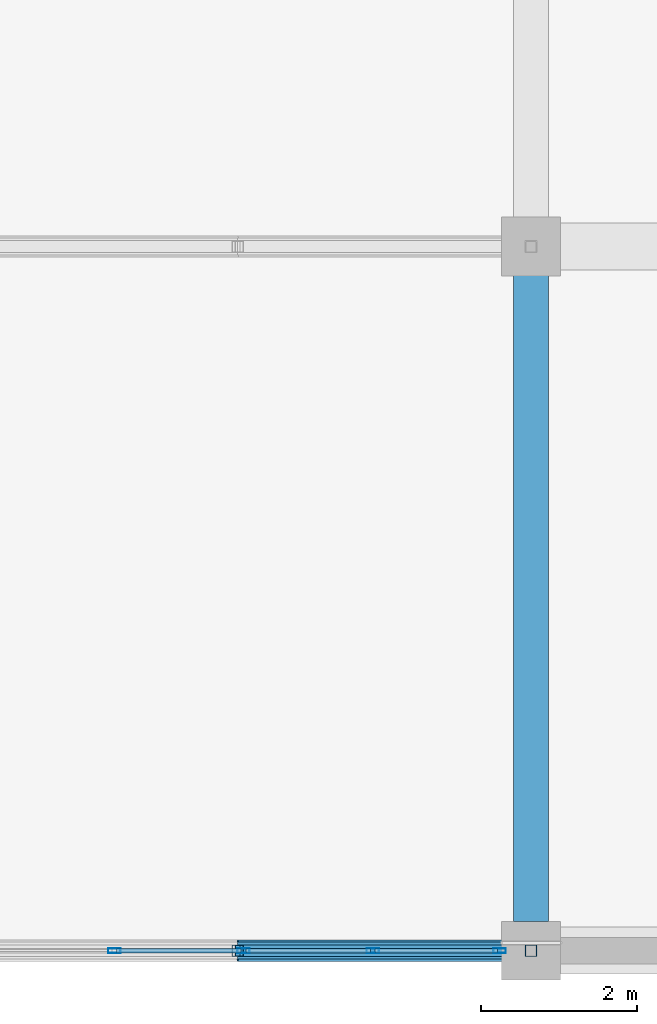
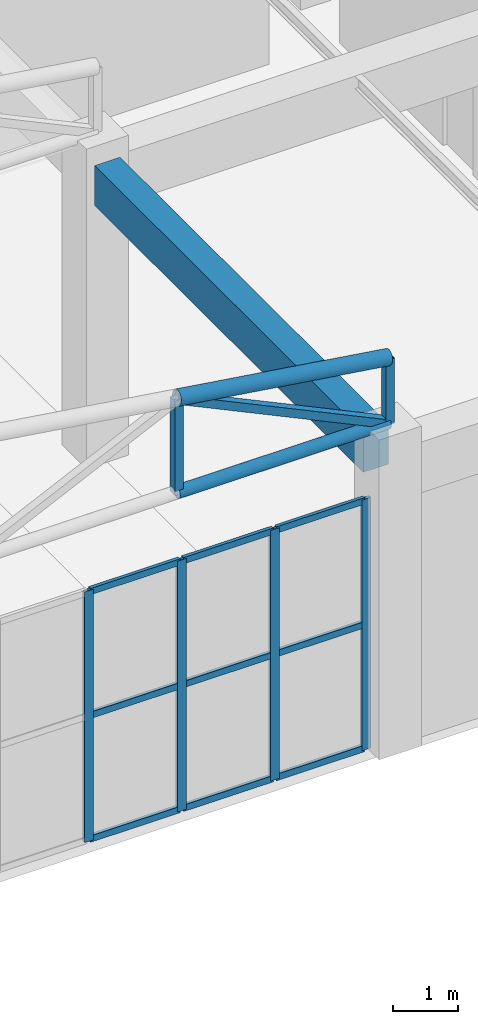
# One storey, part 63 of 223: 18 members, 1 beam, 1 element without a shape of its own.
"""IFC4 building model written with IfcOpenShell, lengths in metres."""

from ifc_helpers import new_model, si_unit, direction, frame, origin, origin_2d, place, context, subcontext, project, spatial, rectangle, hollow_rectangle, hollow_circle, extrude, material, layer, layer_set, material_profile, profile_set, type_object, element, aggregate, save


model = new_model("IFC4")

# Units and contexts
model_context = context("Model", 3, precision=1e-05, world=origin(), true_north=direction((0.0, 1.0)))
body_context = subcontext(model_context, "Body", "Model", "MODEL_VIEW")
ifc_project = project(units=[si_unit("LENGTHUNIT", "METRE"), si_unit("AREAUNIT", "SQUARE_METRE"), si_unit("VOLUMEUNIT", "CUBIC_METRE"), si_unit("PLANEANGLEUNIT", "RADIAN"), si_unit("MASSUNIT", "GRAM", prefix="KILO")], contexts=[model_context])

# Site, building, storey
site_placement = place(None, origin())
site = spatial("IfcSite", under=ifc_project, at=site_placement, CompositionType="ELEMENT")
building_placement = place(site_placement, origin())
building = spatial("IfcBuilding", under=site, at=building_placement, Name="Dornveld Trade and Exhibition Forum", CompositionType="ELEMENT")
storey_placement = place(building_placement, frame((0.0, 0.0, 6.0)))
storey = spatial("IfcBuildingStorey", under=building, at=storey_placement, Name="L01", CompositionType="ELEMENT", Elevation=6.0)

# Beam
ifc_material_1 = material(Name="Precast concrete C50/60", Category="concrete")
ifc_material_profile_1 = material_profile(ifc_material_1, rectangle(XDim=0.449951171875, YDim=0.75, at=origin_2d()), Name="PC-BM 450x750")
ifc_profile_set_1 = profile_set([ifc_material_profile_1], Name="Precast concrete C50/60")
beam_type = type_object("IfcBeamType", Name="BM-PC-450x750", PredefinedType="BEAM", material=ifc_profile_set_1)
beam_placement = place(storey_placement, frame((198.0, 0.37109375, 5.264892578125), z_axis=(0.0, 1.0, 0.0), x_axis=(-1.0, 0.0, 0.0)))
element("IfcBeam", 1, at=beam_placement, inside=storey, type_object=beam_type, Name="L01 Y-girder 1295", PredefinedType="BEAM", context=body_context, shape_type="SweptSolid", body=[
    extrude(rectangle(XDim=0.449951171875, YDim=0.75, at=origin_2d()), origin(), (0.0, 0.0, 1.0), 8.2578125),
])

# Curtain wall, members
ifc_material_2 = material(Name="Dark-bronze anodised aluminium and low-E glass", Category="aluminium")
ifc_layer = layer(ifc_material_2, 0.175048828125)
ifc_layer_set = layer_set([ifc_layer], Name="Dark-bronze anodised aluminium and low-E glass")
curtain_wall_type = type_object("IfcCurtainWallType", Name="CW-SYS-11", PredefinedType="USERDEFINED", material=ifc_layer_set)
curtain_wall_placement = place(storey_placement, origin())
curtain_wall = element("IfcCurtainWall", 2, at=curtain_wall_placement, inside=storey, type_object=curtain_wall_type, Name="L01 unitised curtain wall 137", ObjectType="UNITISED_CURTAIN_WALL", PredefinedType="USERDEFINED")
ifc_material_3 = material(Name="Dark-bronze anodised aluminium", Category="aluminium")
ifc_material_profile_2 = material_profile(ifc_material_3, hollow_rectangle(XDim=0.06005859375, YDim=0.159912109375, WallThickness=0.00390625, at=origin_2d()), Name="RHS 160x60x4")
ifc_profile_set_2 = profile_set([ifc_material_profile_2], Name="Dark-bronze anodised aluminium")
member_type_1 = type_object("IfcMemberType", Name="CW-MUL-160", PredefinedType="MULLION", material=ifc_profile_set_2)
member_1_placement = place(storey_placement, frame((192.67431640625, 0.0, -0.00390625), z_axis=(0.0, 0.0, 1.0), x_axis=(0.0, 1.0, 0.0)))
member_1 = element("IfcMember", 3, at=member_1_placement, type_object=member_type_1, Name="CW-11 mullion 3", PredefinedType="MULLION", context=body_context, shape_type="SweptSolid", body=[
    extrude(hollow_rectangle(XDim=0.06005859375, YDim=0.159912109375, WallThickness=0.00390625, at=origin_2d()), origin(), (0.0, 0.0, 1.0), 4.703857421875),
])
member_2_placement = place(storey_placement, frame((194.32568359375, 0.0, -0.00390625), z_axis=(0.0, 0.0, 1.0), x_axis=(0.0, 1.0, 0.0)))
member_2 = element("IfcMember", 4, at=member_2_placement, type_object=member_type_1, Name="CW-11 mullion 4", PredefinedType="MULLION", context=body_context, shape_type="SweptSolid", body=[
    extrude(hollow_rectangle(XDim=0.06005859375, YDim=0.159912109375, WallThickness=0.00390625, at=origin_2d()), origin(), (0.0, 0.0, 1.0), 4.703857421875),
])
member_3_placement = place(storey_placement, frame((195.977294921875, 0.0, -0.00390625), z_axis=(0.0, 0.0, 1.0), x_axis=(0.0, 1.0, 0.0)))
member_3 = element("IfcMember", 5, at=member_3_placement, type_object=member_type_1, Name="CW-11 mullion 5", PredefinedType="MULLION", context=body_context, shape_type="SweptSolid", body=[
    extrude(hollow_rectangle(XDim=0.06005859375, YDim=0.159912109375, WallThickness=0.00390625, at=origin_2d()), origin(), (0.0, 0.0, 1.0), 4.703857421875),
])
member_4_placement = place(storey_placement, frame((197.59912109375, 0.0, -0.00390625), z_axis=(0.0, 0.0, 1.0), x_axis=(0.0, 1.0, 0.0)))
member_4 = element("IfcMember", 6, at=member_4_placement, type_object=member_type_1, Name="CW-11 mullion 6", PredefinedType="MULLION", context=body_context, shape_type="SweptSolid", body=[
    extrude(hollow_rectangle(XDim=0.06005859375, YDim=0.159912109375, WallThickness=0.00390625, at=origin_2d()), origin(), (0.0, 0.0, 1.0), 4.703857421875),
])
ifc_material_4 = material(Name="Dark-bronze anodised aluminium", Category="aluminium")
ifc_material_profile_3 = material_profile(ifc_material_4, hollow_rectangle(XDim=0.06005859375, YDim=0.1201171875, WallThickness=0.00390625, at=origin_2d()), Name="RHS 120x60x4")
ifc_profile_set_3 = profile_set([ifc_material_profile_3], Name="Dark-bronze anodised aluminium")
member_type_2 = type_object("IfcMemberType", Name="CW-TRN-120", PredefinedType="USERDEFINED", material=ifc_profile_set_3)
member_5_placement = place(storey_placement, frame((192.7041015625, 0.0, 0.02587890625), z_axis=(1.0, 0.0, 0.0), x_axis=(0.0, 1.0, 0.0)))
member_5 = element("IfcMember", 7, at=member_5_placement, type_object=member_type_2, Name="CW-11 transom 3.1", ObjectType="TRANSOM", PredefinedType="USERDEFINED", context=body_context, shape_type="SweptSolid", body=[
    extrude(hollow_rectangle(XDim=0.06005859375, YDim=0.1201171875, WallThickness=0.00390625, at=origin_2d()), origin(), (0.0, 0.0, 1.0), 1.591796875),
])
member_6_placement = place(storey_placement, frame((192.7041015625, 0.0, 2.347900390625), z_axis=(1.0, 0.0, 0.0), x_axis=(0.0, 1.0, 0.0)))
member_6 = element("IfcMember", 8, at=member_6_placement, type_object=member_type_2, Name="CW-11 transom 3.2", ObjectType="TRANSOM", PredefinedType="USERDEFINED", context=body_context, shape_type="SweptSolid", body=[
    extrude(hollow_rectangle(XDim=0.06005859375, YDim=0.1201171875, WallThickness=0.00390625, at=origin_2d()), origin(), (0.0, 0.0, 1.0), 1.591796875),
])
member_7_placement = place(storey_placement, frame((192.7041015625, 0.0, 4.669921875), z_axis=(1.0, 0.0, 0.0), x_axis=(0.0, 1.0, 0.0)))
member_7 = element("IfcMember", 9, at=member_7_placement, type_object=member_type_2, Name="CW-11 transom 3.3", ObjectType="TRANSOM", PredefinedType="USERDEFINED", context=body_context, shape_type="SweptSolid", body=[
    extrude(hollow_rectangle(XDim=0.06005859375, YDim=0.1201171875, WallThickness=0.00390625, at=origin_2d()), origin(), (0.0, 0.0, 1.0), 1.591796875),
])
member_8_placement = place(storey_placement, frame((194.355712890625, 0.0, 0.02587890625), z_axis=(1.0, 0.0, 0.0), x_axis=(0.0, 1.0, 0.0)))
member_8 = element("IfcMember", 10, at=member_8_placement, type_object=member_type_2, Name="CW-11 transom 4.1", ObjectType="TRANSOM", PredefinedType="USERDEFINED", context=body_context, shape_type="SweptSolid", body=[
    extrude(hollow_rectangle(XDim=0.06005859375, YDim=0.1201171875, WallThickness=0.00390625, at=origin_2d()), origin(), (0.0, 0.0, 1.0), 1.591796875),
])
member_9_placement = place(storey_placement, frame((194.355712890625, 0.0, 2.347900390625), z_axis=(1.0, 0.0, 0.0), x_axis=(0.0, 1.0, 0.0)))
member_9 = element("IfcMember", 11, at=member_9_placement, type_object=member_type_2, Name="CW-11 transom 4.2", ObjectType="TRANSOM", PredefinedType="USERDEFINED", context=body_context, shape_type="SweptSolid", body=[
    extrude(hollow_rectangle(XDim=0.06005859375, YDim=0.1201171875, WallThickness=0.00390625, at=origin_2d()), origin(), (0.0, 0.0, 1.0), 1.591796875),
])
member_10_placement = place(storey_placement, frame((194.355712890625, 0.0, 4.669921875), z_axis=(1.0, 0.0, 0.0), x_axis=(0.0, 1.0, 0.0)))
member_10 = element("IfcMember", 12, at=member_10_placement, type_object=member_type_2, Name="CW-11 transom 4.3", ObjectType="TRANSOM", PredefinedType="USERDEFINED", context=body_context, shape_type="SweptSolid", body=[
    extrude(hollow_rectangle(XDim=0.06005859375, YDim=0.1201171875, WallThickness=0.00390625, at=origin_2d()), origin(), (0.0, 0.0, 1.0), 1.591796875),
])
member_11_placement = place(storey_placement, frame((196.00732421875, 0.0, 0.02587890625), z_axis=(1.0, 0.0, 0.0), x_axis=(0.0, 1.0, 0.0)))
member_11 = element("IfcMember", 13, at=member_11_placement, type_object=member_type_2, Name="CW-11 transom 5.1", ObjectType="TRANSOM", PredefinedType="USERDEFINED", context=body_context, shape_type="SweptSolid", body=[
    extrude(hollow_rectangle(XDim=0.06005859375, YDim=0.1201171875, WallThickness=0.00390625, at=origin_2d()), origin(), (0.0, 0.0, 1.0), 1.561767578125),
])
member_12_placement = place(storey_placement, frame((196.00732421875, 0.0, 2.347900390625), z_axis=(1.0, 0.0, 0.0), x_axis=(0.0, 1.0, 0.0)))
member_12 = element("IfcMember", 14, at=member_12_placement, type_object=member_type_2, Name="CW-11 transom 5.2", ObjectType="TRANSOM", PredefinedType="USERDEFINED", context=body_context, shape_type="SweptSolid", body=[
    extrude(hollow_rectangle(XDim=0.06005859375, YDim=0.1201171875, WallThickness=0.00390625, at=origin_2d()), origin(), (0.0, 0.0, 1.0), 1.561767578125),
])
member_13_placement = place(storey_placement, frame((196.00732421875, 0.0, 4.669921875), z_axis=(1.0, 0.0, 0.0), x_axis=(0.0, 1.0, 0.0)))
member_13 = element("IfcMember", 15, at=member_13_placement, type_object=member_type_2, Name="CW-11 transom 5.3", ObjectType="TRANSOM", PredefinedType="USERDEFINED", context=body_context, shape_type="SweptSolid", body=[
    extrude(hollow_rectangle(XDim=0.06005859375, YDim=0.1201171875, WallThickness=0.00390625, at=origin_2d()), origin(), (0.0, 0.0, 1.0), 1.561767578125),
])
aggregate(curtain_wall, [member_1, member_2, member_3, member_4, member_5, member_6, member_7, member_8, member_9, member_10, member_11, member_12, member_13])

# Members
ifc_material_5 = material(Name="Steel S355J2", Category="steel")
ifc_material_profile_4 = material_profile(ifc_material_5, hollow_rectangle(XDim=0.14990234375, YDim=0.14990234375, WallThickness=0.008056640625, at=origin_2d()), Name="SHS 150x150x8")
ifc_profile_set_4 = profile_set([ifc_material_profile_4], Name="Steel S355J2")
member_type_3 = type_object("IfcMemberType", Name="MEM-ARCH-STR", PredefinedType="STRUT", material=ifc_profile_set_4)
member_14_placement = place(storey_placement, frame((194.25, 0.0, 5.97998046875), z_axis=(0.0, 0.0, 1.0), x_axis=(1.0, 0.0, 0.0)))
element("IfcMember", 16, at=member_14_placement, inside=storey, type_object=member_type_3, Name="Congress roof truss 1 post 12", PredefinedType="STRUT", context=body_context, shape_type="SweptSolid", body=[
    extrude(hollow_rectangle(XDim=0.14990234375, YDim=0.14990234375, WallThickness=0.008056640625, at=origin_2d()), origin(), (0.0, 0.0, 1.0), 1.77001953125),
])
member_15_placement = place(storey_placement, frame((198.0, 0.0, 5.97998046875), z_axis=(0.0, 0.0, 1.0), x_axis=(1.0, 0.0, 0.0)))
element("IfcMember", 17, at=member_15_placement, inside=storey, type_object=member_type_3, Name="Congress roof truss 1 east end post", PredefinedType="STRUT", context=body_context, shape_type="SweptSolid", body=[
    extrude(hollow_rectangle(XDim=0.14990234375, YDim=0.14990234375, WallThickness=0.008056640625, at=origin_2d()), origin(), (0.0, 0.0, 1.0), 1.219970703125),
])
ifc_material_6 = material(Name="Steel S355J2", Category="steel")
ifc_material_profile_5 = material_profile(ifc_material_6, hollow_circle(Radius=0.109619140625, WallThickness=0.010009765625, at=origin_2d()), Name="CHS 219.1x10")
ifc_profile_set_5 = profile_set([ifc_material_profile_5], Name="Steel S355J2")
member_type_4 = type_object("IfcMemberType", Name="MEM-CONG-BC", PredefinedType="CHORD", material=ifc_profile_set_5)
member_16_placement = place(storey_placement, frame((194.25, 0.0, 5.97998046875), z_axis=(1.0, 0.0, 0.0), x_axis=(0.0, 1.0, 0.0)))
element("IfcMember", 18, at=member_16_placement, inside=storey, type_object=member_type_4, Name="Congress roof truss 1 bottom chord 12", PredefinedType="CHORD", context=body_context, shape_type="SweptSolid", body=[
    extrude(hollow_circle(Radius=0.109619140625, WallThickness=0.010009765625, at=origin_2d()), origin(), (0.0, 0.0, 1.0), 3.75),
])
ifc_material_7 = material(Name="Steel S355J2", Category="steel")
ifc_material_profile_6 = material_profile(ifc_material_7, hollow_circle(Radius=0.136474609375, WallThickness=0.012451171875, at=origin_2d()), Name="CHS 273x12.5")
ifc_profile_set_6 = profile_set([ifc_material_profile_6], Name="Steel S355J2")
member_type_5 = type_object("IfcMemberType", Name="MEM-CONG-TC", PredefinedType="CHORD", material=ifc_profile_set_6)
member_17_placement = place(storey_placement, frame((194.25, 0.0, 7.75), z_axis=(0.989413064489, 0.0, -0.145126799108), x_axis=(0.0, 1.0, 0.0)))
element("IfcMember", 19, at=member_17_placement, inside=storey, type_object=member_type_5, Name="Congress roof truss 1 top chord 12", PredefinedType="CHORD", context=body_context, shape_type="SweptSolid", body=[
    extrude(hollow_circle(Radius=0.136474609375, WallThickness=0.012451171875, at=origin_2d()), origin(), (0.0, 0.0, 1.0), 3.7900390625),
])
ifc_material_8 = material(Name="Steel S355J2", Category="steel")
ifc_material_profile_7 = material_profile(ifc_material_8, hollow_rectangle(XDim=0.14990234375, YDim=0.14990234375, WallThickness=0.008056640625, at=origin_2d()), Name="SHS 150x150x8")
ifc_profile_set_7 = profile_set([ifc_material_profile_7], Name="Steel S355J2")
member_type_6 = type_object("IfcMemberType", Name="MEM-CONG-WEB", PredefinedType="BRACE", material=ifc_profile_set_7)
member_18_placement = place(storey_placement, frame((198.0, 0.0, 5.97998046875), z_axis=(-0.904324408902, 0.0, 0.426845831025), x_axis=(0.0, -1.0, 0.0)))
element("IfcMember", 20, at=member_18_placement, inside=storey, type_object=member_type_6, Name="Congress roof truss 1 web 12", PredefinedType="BRACE", context=body_context, shape_type="SweptSolid", body=[
    extrude(hollow_rectangle(XDim=0.14990234375, YDim=0.14990234375, WallThickness=0.008056640625, at=origin_2d()), origin(), (0.0, 0.0, 1.0), 4.146728515625),
])

save(model, "model.ifc")
